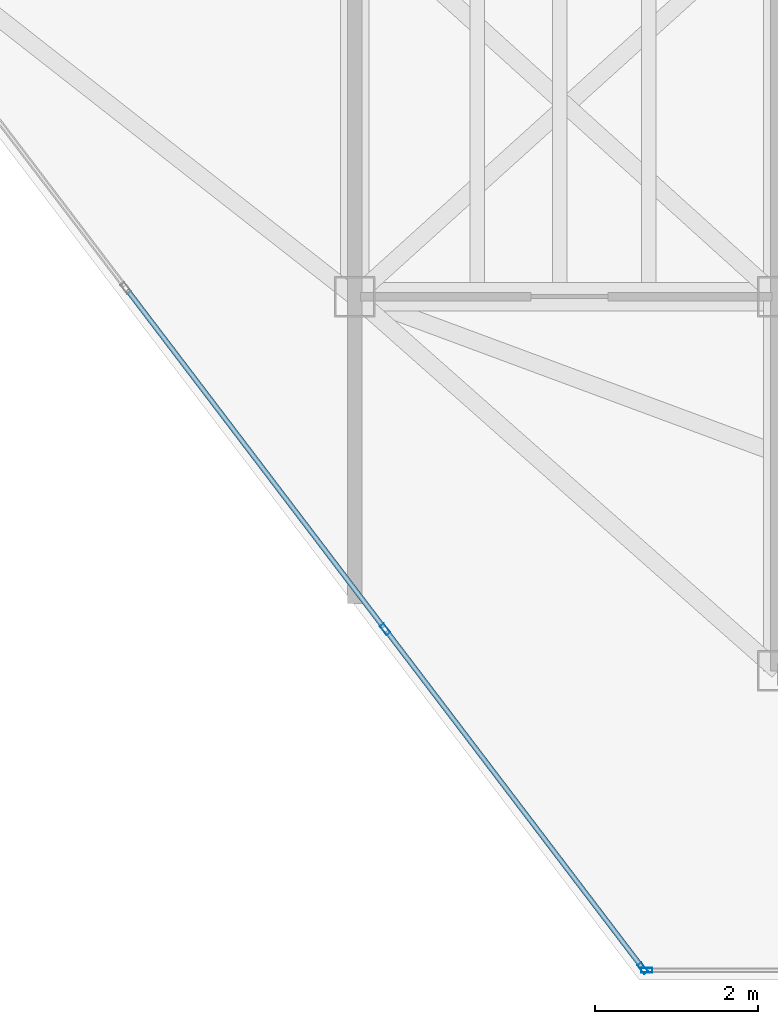
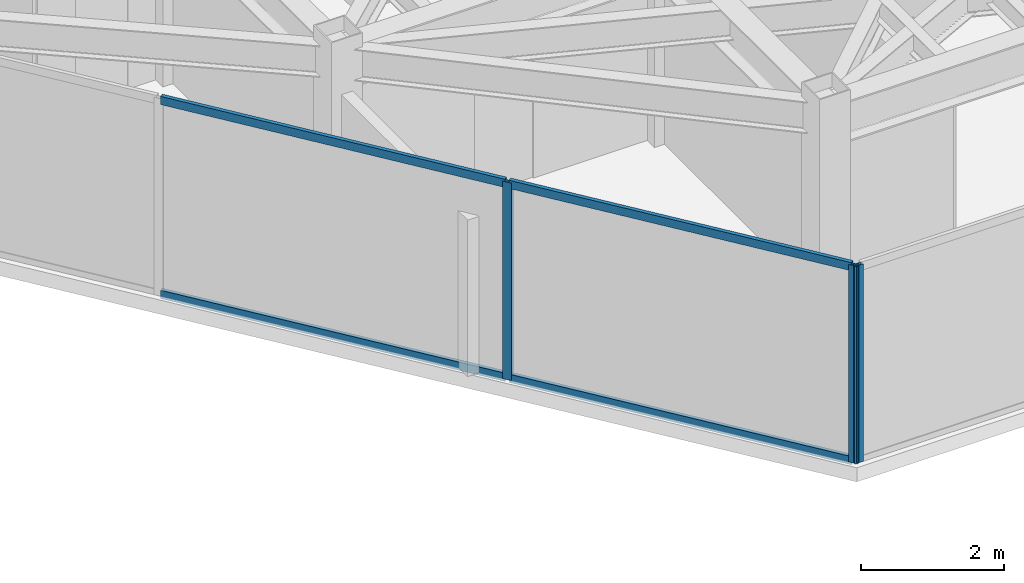
# One storey, part 6 of 19: 7 members, 2 elements without a shape of their own.
"""IFC4 building model written with IfcOpenShell, lengths in metres."""

from ifc_helpers import new_model, si_unit, direction, frame, origin, origin_2d, place, context, subcontext, project, spatial, hollow_rectangle, extrude, material, layer, layer_set, material_profile, profile_set, type_object, element, aggregate, save


model = new_model("IFC4")

# Units and contexts
model_context = context("Model", 3, precision=1e-05, world=origin(), true_north=direction((0.0, 1.0)))
body_context = subcontext(model_context, "Body", "Model", "MODEL_VIEW")
ifc_project = project(units=[si_unit("LENGTHUNIT", "METRE"), si_unit("AREAUNIT", "SQUARE_METRE"), si_unit("VOLUMEUNIT", "CUBIC_METRE"), si_unit("PLANEANGLEUNIT", "RADIAN"), si_unit("MASSUNIT", "GRAM", prefix="KILO")], contexts=[model_context])

# Site, building, storey
site_placement = place(None, origin())
site = spatial("IfcSite", under=ifc_project, at=site_placement, CompositionType="ELEMENT")
building_placement = place(site_placement, origin())
building = spatial("IfcBuilding", under=site, at=building_placement, Name="Kravanh Interchange Tower", CompositionType="ELEMENT")
storey_placement = place(building_placement, frame((0.0, 0.0, 270.60009765625)))
storey = spatial("IfcBuildingStorey", under=building, at=storey_placement, Name="L66", CompositionType="ELEMENT", Elevation=270.60009765625)

# Curtain wall, member
ifc_material_1 = material(Name="Anodised Bronze Aluminium", Category="aluminium")
ifc_layer = layer(ifc_material_1, 0.179931640625)
ifc_layer_set = layer_set([ifc_layer], Name="Unitised Curtain Wall System CW-HTL Luxury Hotel")
curtain_wall_type = type_object("IfcCurtainWallType", Name="Unitised Curtain Wall System CW-HTL Luxury Hotel", PredefinedType="NOTDEFINED", material=ifc_layer_set)
curtain_wall_1_placement = place(storey_placement, origin())
curtain_wall_1 = element("IfcCurtainWall", 1, at=curtain_wall_1_placement, inside=storey, type_object=curtain_wall_type, Name="L66 Unitised Curtain Wall CW-L66-03", PredefinedType="NOTDEFINED")
ifc_material_2 = material(Name="Anodised Bronze Aluminium", Category="aluminium")
ifc_material_profile_1 = material_profile(ifc_material_2, hollow_rectangle(XDim=0.06005859375, YDim=0.139892578125, WallThickness=0.00390625, at=origin_2d()), Name="ALU60X140X4")
ifc_profile_set_1 = profile_set([ifc_material_profile_1], Name="Anodised Bronze Aluminium")
member_type_1 = type_object("IfcMemberType", Name="Curtain Wall Mullion ALU60X140X4 Bronze", PredefinedType="MULLION", material=ifc_profile_set_1)
member_1_placement = place(storey_placement, frame((54.389404296875, 18.52001953125, 0.0), z_axis=(0.0, 0.0, 1.0), x_axis=(0.0, -1.0, 0.0)))
member_1 = element("IfcMember", 2, at=member_1_placement, type_object=member_type_1, Name="CW-HTL mullion 3", PredefinedType="MULLION", context=body_context, shape_type="SweptSolid", body=[
    extrude(hollow_rectangle(XDim=0.06005859375, YDim=0.139892578125, WallThickness=0.00390625, at=origin_2d()), origin(), (0.0, 0.0, 1.0), 3.35986328125),
])
aggregate(curtain_wall_1, [member_1])

# Curtain wall, members
curtain_wall_2_placement = place(storey_placement, origin())
curtain_wall_2 = element("IfcCurtainWall", 3, at=curtain_wall_2_placement, inside=storey, type_object=curtain_wall_type, Name="L66 Unitised Curtain Wall CW-L66-04", PredefinedType="NOTDEFINED")
member_2_placement = place(storey_placement, frame((54.34130859375, 18.5439453125, 0.0), z_axis=(0.0, 0.0, 1.0), x_axis=(-0.79616243806, -0.605082946564, 0.0)))
member_2 = element("IfcMember", 4, at=member_2_placement, type_object=member_type_1, Name="CW-HTL mullion 1", PredefinedType="MULLION", context=body_context, shape_type="SweptSolid", body=[
    extrude(hollow_rectangle(XDim=0.06005859375, YDim=0.139892578125, WallThickness=0.00390625, at=origin_2d()), origin(), (0.0, 0.0, 1.0), 3.35986328125),
])
member_3_placement = place(storey_placement, frame((51.173095703125, 22.712646484375, 0.0), z_axis=(0.0, 0.0, 1.0), x_axis=(-0.79616243806, -0.605082946564, 0.0)))
member_3 = element("IfcMember", 5, at=member_3_placement, type_object=member_type_1, Name="CW-HTL mullion 2", PredefinedType="MULLION", context=body_context, shape_type="SweptSolid", body=[
    extrude(hollow_rectangle(XDim=0.06005859375, YDim=0.139892578125, WallThickness=0.00390625, at=origin_2d()), origin(), (0.0, 0.0, 1.0), 3.35986328125),
])
ifc_material_3 = material(Name="Anodised Bronze Aluminium", Category="aluminium")
ifc_material_profile_2 = material_profile(ifc_material_3, hollow_rectangle(XDim=0.06005859375, YDim=0.139892578125, WallThickness=0.00390625, at=origin_2d()), Name="ALU60X140X4")
ifc_profile_set_2 = profile_set([ifc_material_profile_2], Name="Anodised Bronze Aluminium")
member_type_2 = type_object("IfcMemberType", Name="Curtain Wall Transom ALU60X140X4 Bronze", PredefinedType="USERDEFINED", material=ifc_profile_set_2)
member_4_placement = place(storey_placement, frame((54.3232421875, 18.56787109375, 0.02978515625), z_axis=(-0.605089246946, 0.796157649734, 0.0), x_axis=(-0.796157649734, -0.605089246946, 0.0)))
member_4 = element("IfcMember", 6, at=member_4_placement, type_object=member_type_2, Name="CW-HTL transom 1.1", ObjectType="TRANSOM", PredefinedType="USERDEFINED", context=body_context, shape_type="SweptSolid", body=[
    extrude(hollow_rectangle(XDim=0.06005859375, YDim=0.139892578125, WallThickness=0.00390625, at=origin_2d()), origin(), (0.0, 0.0, 1.0), 5.17626953125),
])
member_5_placement = place(storey_placement, frame((54.3232421875, 18.56787109375, 3.329833984375), z_axis=(-0.605089246946, 0.796157649734, 0.0), x_axis=(-0.796157649734, -0.605089246946, 0.0)))
member_5 = element("IfcMember", 7, at=member_5_placement, type_object=member_type_2, Name="CW-HTL transom 1.2", ObjectType="TRANSOM", PredefinedType="USERDEFINED", context=body_context, shape_type="SweptSolid", body=[
    extrude(hollow_rectangle(XDim=0.06005859375, YDim=0.139892578125, WallThickness=0.00390625, at=origin_2d()), origin(), (0.0, 0.0, 1.0), 5.17626953125),
])
member_6_placement = place(storey_placement, frame((51.15478515625, 22.736572265625, 0.02978515625), z_axis=(-0.605074944506, 0.796168519555, 0.0), x_axis=(-0.796168519555, -0.605074944506, 0.0)))
member_6 = element("IfcMember", 8, at=member_6_placement, type_object=member_type_2, Name="CW-HTL transom 2.1", ObjectType="TRANSOM", PredefinedType="USERDEFINED", context=body_context, shape_type="SweptSolid", body=[
    extrude(hollow_rectangle(XDim=0.06005859375, YDim=0.139892578125, WallThickness=0.00390625, at=origin_2d()), origin(), (0.0, 0.0, 1.0), 5.206298828125),
])
member_7_placement = place(storey_placement, frame((51.15478515625, 22.736572265625, 3.329833984375), z_axis=(-0.605074944506, 0.796168519555, 0.0), x_axis=(-0.796168519555, -0.605074944506, 0.0)))
member_7 = element("IfcMember", 9, at=member_7_placement, type_object=member_type_2, Name="CW-HTL transom 2.2", ObjectType="TRANSOM", PredefinedType="USERDEFINED", context=body_context, shape_type="SweptSolid", body=[
    extrude(hollow_rectangle(XDim=0.06005859375, YDim=0.139892578125, WallThickness=0.00390625, at=origin_2d()), origin(), (0.0, 0.0, 1.0), 5.206298828125),
])
aggregate(curtain_wall_2, [member_2, member_3, member_4, member_5, member_6, member_7])

save(model, "model.ifc")
